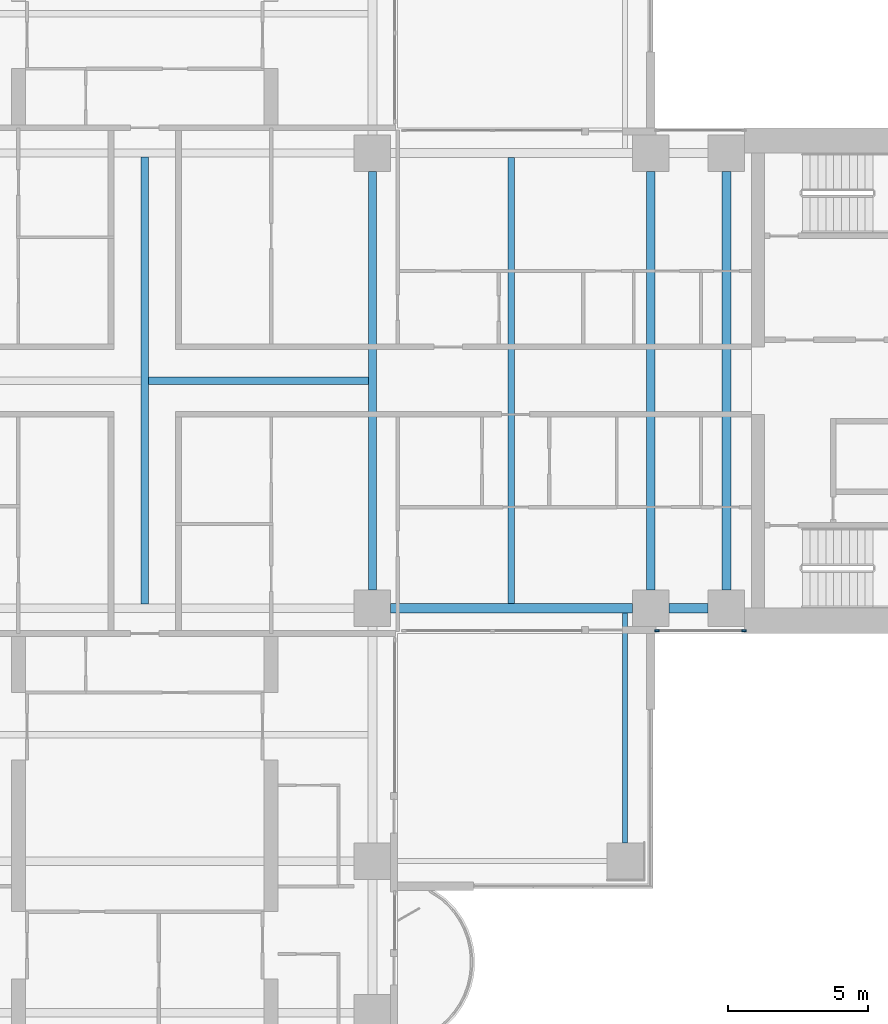
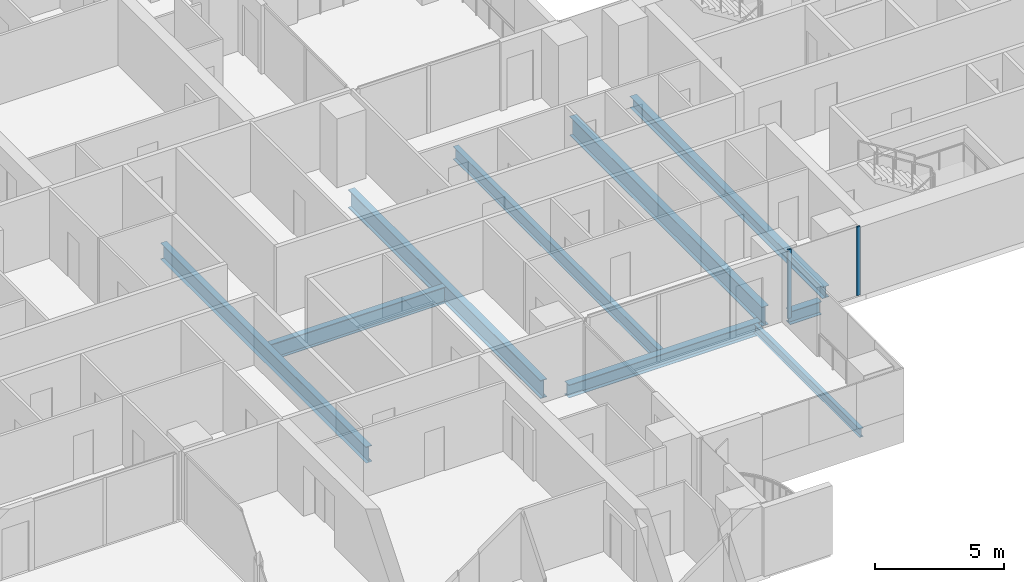
# One storey, part 4 of 21: 9 beams, 2 members, 1 element without a shape of its own.
"""IFC4 building model written with IfcOpenShell, lengths in metres."""

from ifc_helpers import new_model, si_unit, direction, frame, origin, origin_2d, place, context, subcontext, project, spatial, rectangle, i_section, extrude, material, material_profile, profile_set, type_object, element, aggregate, save


model = new_model("IFC4")

# Units and contexts
model_context = context("Model", 3, precision=1e-05, world=origin(), true_north=direction((0.0, 1.0)))
body_context = subcontext(model_context, "Body", "Model", "MODEL_VIEW")
ifc_project = project(units=[si_unit("LENGTHUNIT", "METRE"), si_unit("AREAUNIT", "SQUARE_METRE"), si_unit("VOLUMEUNIT", "CUBIC_METRE"), si_unit("PLANEANGLEUNIT", "RADIAN"), si_unit("MASSUNIT", "GRAM", prefix="KILO")], contexts=[model_context])

# Site, building, storey
site_placement = place(None, origin())
site = spatial("IfcSite", under=ifc_project, at=site_placement, CompositionType="ELEMENT")
building_placement = place(site_placement, origin())
building = spatial("IfcBuilding", under=site, at=building_placement, Name="Perihelion Cross Residences", CompositionType="ELEMENT")
storey_placement = place(building_placement, frame((0.0, 0.0, 47.0)))
storey = spatial("IfcBuildingStorey", under=building, at=storey_placement, Name="L08", CompositionType="ELEMENT", Elevation=47.0)

# Curtain wall, members
ifc_material_1 = material(Name="Bronze anodised aluminium, tinted glazing", Category="aluminium")
curtain_wall_type = type_object("IfcCurtainWallType", Name="CW1", PredefinedType="NOTDEFINED", material=ifc_material_1)
curtain_wall_placement = place(storey_placement, origin())
curtain_wall = element("IfcCurtainWall", 1, at=curtain_wall_placement, inside=storey, type_object=curtain_wall_type, Name="Curtain wall CW1 L08 east side south bay 2", PredefinedType="NOTDEFINED")
ifc_material_2 = material(Name="Bronze anodised aluminium", Category="aluminium")
ifc_material_profile_1 = material_profile(ifc_material_2, rectangle(XDim=0.06005859375, YDim=0.159912109375, at=origin_2d()), Name="CW1 mullion")
ifc_profile_set_1 = profile_set([ifc_material_profile_1], Name="Bronze anodised aluminium")
member_type = type_object("IfcMemberType", Name="CW1 mullion", PredefinedType="MULLION", material=ifc_profile_set_1)
member_1_placement = place(storey_placement, frame((18.22998046875, -8.89990234375, 0.0), z_axis=(0.0, 0.0, 1.0), x_axis=(0.0, 1.0, 0.0)))
member_1 = element("IfcMember", 2, at=member_1_placement, type_object=member_type, Name="CW1 mullion 1", PredefinedType="MULLION", context=body_context, shape_type="SweptSolid", body=[
    extrude(rectangle(XDim=0.06005859375, YDim=0.159912109375, at=origin_2d()), origin(), (0.0, 0.0, 1.0), 3.25),
])
member_2_placement = place(storey_placement, frame((21.320068359375, -8.89990234375, 0.0), z_axis=(0.0, 0.0, 1.0), x_axis=(0.0, 1.0, 0.0)))
member_2 = element("IfcMember", 3, at=member_2_placement, type_object=member_type, Name="CW1 mullion 2", PredefinedType="MULLION", context=body_context, shape_type="SweptSolid", body=[
    extrude(rectangle(XDim=0.06005859375, YDim=0.159912109375, at=origin_2d()), origin(), (0.0, 0.0, 1.0), 3.25),
])
aggregate(curtain_wall, [member_1, member_2])

# Beams
ifc_material_3 = material(Name="Steel S355", Category="steel")
ifc_material_profile_2 = material_profile(ifc_material_3, i_section(OverallWidth=0.177978515625, OverallDepth=0.406005859375, WebThickness=0.0078125, FlangeThickness=0.0126953125, at=origin_2d()), Name="W410x60")
ifc_profile_set_2 = profile_set([ifc_material_profile_2], Name="Steel S355")
beam_type_1 = type_object("IfcBeamType", Name="Core edge beam W410x60", PredefinedType="BEAM", material=ifc_profile_set_2)
beam_1_placement = place(storey_placement, frame((17.10009765625, -8.262451171875, -0.452880859375), z_axis=(0.0, -1.0, 0.0), x_axis=(1.0, 0.0, 0.0)))
element("IfcBeam", 4, at=beam_1_placement, inside=storey, type_object=beam_type_1, Name="Core edge beam TB2 L08 corner no. 5", PredefinedType="BEAM", context=body_context, shape_type="SweptSolid", body=[
    extrude(i_section(OverallWidth=0.177978515625, OverallDepth=0.406005859375, WebThickness=0.0078125, FlangeThickness=0.0126953125, at=origin_2d()), origin(), (0.0, 0.0, 1.0), 8.1875),
])
ifc_material_4 = material(Name="Steel S355", Category="steel")
ifc_material_profile_3 = material_profile(ifc_material_4, i_section(OverallWidth=0.31201171875, OverallDepth=0.5439453125, WebThickness=0.0126953125, FlangeThickness=0.020263671875, at=origin_2d()), Name="W530x150")
ifc_profile_set_3 = profile_set([ifc_material_profile_3], Name="Steel S355")
beam_type_2 = type_object("IfcBeamType", Name="Core edge beam W530x150", PredefinedType="BEAM", material=ifc_profile_set_3)
beam_2_placement = place(storey_placement, frame((20.699951171875, -7.449951171875, -0.52197265625), z_axis=(0.0, 1.0, 0.0), x_axis=(-1.0, 0.0, 0.0)))
element("IfcBeam", 5, at=beam_2_placement, inside=storey, type_object=beam_type_2, Name="Core edge beam TB4 L08 no. 2", PredefinedType="BEAM", context=body_context, shape_type="SweptSolid", body=[
    extrude(i_section(OverallWidth=0.31201171875, OverallDepth=0.5439453125, WebThickness=0.0126953125, FlangeThickness=0.020263671875, at=origin_2d()), origin(), (0.0, 0.0, 1.0), 14.89990234375),
])
ifc_material_5 = material(Name="Steel S355", Category="steel")
ifc_material_profile_4 = material_profile(ifc_material_5, i_section(OverallWidth=0.324951171875, OverallDepth=0.616943359375, WebThickness=0.013916015625, FlangeThickness=0.021484375, at=origin_2d()), Name="W610x174")
ifc_profile_set_4 = profile_set([ifc_material_profile_4], Name="Steel S355")
beam_type_3 = type_object("IfcBeamType", Name="Edge beam W610x174", PredefinedType="SPANDREL", material=ifc_profile_set_4)
beam_3_placement = place(storey_placement, frame((8.75, -8.10009765625, -0.55859375), z_axis=(1.0, 0.0, 0.0), x_axis=(0.0, 1.0, 0.0)))
element("IfcBeam", 6, at=beam_3_placement, inside=storey, type_object=beam_type_3, Name="Edge beam SB2 L08 no. 18", PredefinedType="SPANDREL", context=body_context, shape_type="SweptSolid", body=[
    extrude(i_section(OverallWidth=0.324951171875, OverallDepth=0.616943359375, WebThickness=0.013916015625, FlangeThickness=0.021484375, at=origin_2d()), origin(), (0.0, 0.0, 1.0), 8.60009765625),
])
beam_4_placement = place(storey_placement, frame((18.64990234375, -8.10009765625, -0.55859375), z_axis=(1.0, 0.0, 0.0), x_axis=(0.0, 1.0, 0.0)))
element("IfcBeam", 7, at=beam_4_placement, inside=storey, type_object=beam_type_3, Name="Edge beam SB2 L08 no. 12", PredefinedType="SPANDREL", context=body_context, shape_type="SweptSolid", body=[
    extrude(i_section(OverallWidth=0.324951171875, OverallDepth=0.616943359375, WebThickness=0.013916015625, FlangeThickness=0.021484375, at=origin_2d()), origin(), (0.0, 0.0, 1.0), 1.400146484375),
])
ifc_material_6 = material(Name="Steel S355", Category="steel")
ifc_material_profile_5 = material_profile(ifc_material_6, i_section(OverallWidth=0.304931640625, OverallDepth=0.904052734375, WebThickness=0.01513671875, FlangeThickness=0.02001953125, at=origin_2d()), Name="W920x201")
ifc_profile_set_5 = profile_set([ifc_material_profile_5], Name="Steel S355")
beam_type_4 = type_object("IfcBeamType", Name="Floor girder W920x201", PredefinedType="BEAM", material=ifc_profile_set_5)
beam_5_placement = place(storey_placement, frame((18.0, -7.449951171875, -0.701904296875), z_axis=(0.0, 1.0, 0.0), x_axis=(-1.0, 0.0, 0.0)))
element("IfcBeam", 8, at=beam_5_placement, inside=storey, type_object=beam_type_4, Name="Girder G2 L08 no. 2", PredefinedType="BEAM", context=body_context, shape_type="SweptSolid", body=[
    extrude(i_section(OverallWidth=0.304931640625, OverallDepth=0.904052734375, WebThickness=0.01513671875, FlangeThickness=0.02001953125, at=origin_2d()), origin(), (0.0, 0.0, 1.0), 14.89990234375),
])
ifc_material_7 = material(Name="Steel S355", Category="steel")
ifc_material_profile_6 = material_profile(ifc_material_7, i_section(OverallWidth=0.22900390625, OverallDepth=0.612060546875, WebThickness=0.011962890625, FlangeThickness=0.01953125, at=origin_2d()), Name="W610x125")
ifc_profile_set_6 = profile_set([ifc_material_profile_6], Name="Steel S355")
beam_type_5 = type_object("IfcBeamType", Name="Floor joist W610x125", PredefinedType="JOIST", material=ifc_profile_set_6)
beam_6_placement = place(storey_placement, frame((13.050048828125, -7.9375, -0.555908203125), z_axis=(0.0, 1.0, 0.0), x_axis=(-1.0, 0.0, 0.0)))
element("IfcBeam", 9, at=beam_6_placement, inside=storey, type_object=beam_type_5, Name="Joist J3 L08 no. 2", PredefinedType="JOIST", context=body_context, shape_type="SweptSolid", body=[
    extrude(i_section(OverallWidth=0.22900390625, OverallDepth=0.612060546875, WebThickness=0.011962890625, FlangeThickness=0.01953125, at=origin_2d()), origin(), (0.0, 0.0, 1.0), 15.875),
])
ifc_material_8 = material(Name="Steel S355", Category="steel")
ifc_material_profile_7 = material_profile(ifc_material_8, i_section(OverallWidth=0.26708984375, OverallDepth=0.77001953125, WebThickness=0.015625, FlangeThickness=0.025390625, at=origin_2d()), Name="W760x196")
ifc_profile_set_7 = profile_set([ifc_material_profile_7], Name="Steel S355")
beam_type_6 = type_object("IfcBeamType", Name="Hub cross beam W760x196", PredefinedType="BEAM", material=ifc_profile_set_7)
beam_7_placement = place(storey_placement, frame((0.0, -7.9541015625, -0.635009765625), z_axis=(0.0, 1.0, 0.0), x_axis=(-1.0, 0.0, 0.0)))
element("IfcBeam", 10, at=beam_7_placement, inside=storey, type_object=beam_type_6, Name="Hub cross beam XB2 L08 no. 1", PredefinedType="BEAM", context=body_context, shape_type="SweptSolid", body=[
    extrude(i_section(OverallWidth=0.26708984375, OverallDepth=0.77001953125, WebThickness=0.015625, FlangeThickness=0.025390625, at=origin_2d()), origin(), (0.0, 0.0, 1.0), 15.908203125),
])
beam_8_placement = place(storey_placement, frame((0.133544921875, 0.0, -0.635009765625), z_axis=(1.0, 0.0, 0.0), x_axis=(0.0, 1.0, 0.0)))
element("IfcBeam", 11, at=beam_8_placement, inside=storey, type_object=beam_type_6, Name="Hub cross beam XB2 L08 2 no. 1", PredefinedType="BEAM", context=body_context, shape_type="SweptSolid", body=[
    extrude(i_section(OverallWidth=0.26708984375, OverallDepth=0.77001953125, WebThickness=0.015625, FlangeThickness=0.025390625, at=origin_2d()), origin(), (0.0, 0.0, 1.0), 7.820556640625),
])
ifc_material_9 = material(Name="Steel S355", Category="steel")
ifc_material_profile_8 = material_profile(ifc_material_9, i_section(OverallWidth=0.2919921875, OverallDepth=0.85888671875, WebThickness=0.01708984375, FlangeThickness=0.031005859375, at=origin_2d()), Name="W840x251")
ifc_profile_set_8 = profile_set([ifc_material_profile_8], Name="Steel S355")
beam_type_7 = type_object("IfcBeamType", Name="Hub ring girder W840x251", PredefinedType="BEAM", material=ifc_profile_set_8)
beam_9_placement = place(storey_placement, frame((8.10009765625, -7.449951171875, -0.679443359375), z_axis=(0.0, 1.0, 0.0), x_axis=(-1.0, 0.0, 0.0)))
element("IfcBeam", 12, at=beam_9_placement, inside=storey, type_object=beam_type_7, Name="Hub ring girder RG2 L08 no. 3", PredefinedType="BEAM", context=body_context, shape_type="SweptSolid", body=[
    extrude(i_section(OverallWidth=0.2919921875, OverallDepth=0.85888671875, WebThickness=0.01708984375, FlangeThickness=0.031005859375, at=origin_2d()), origin(), (0.0, 0.0, 1.0), 14.89990234375),
])

save(model, "model.ifc")
